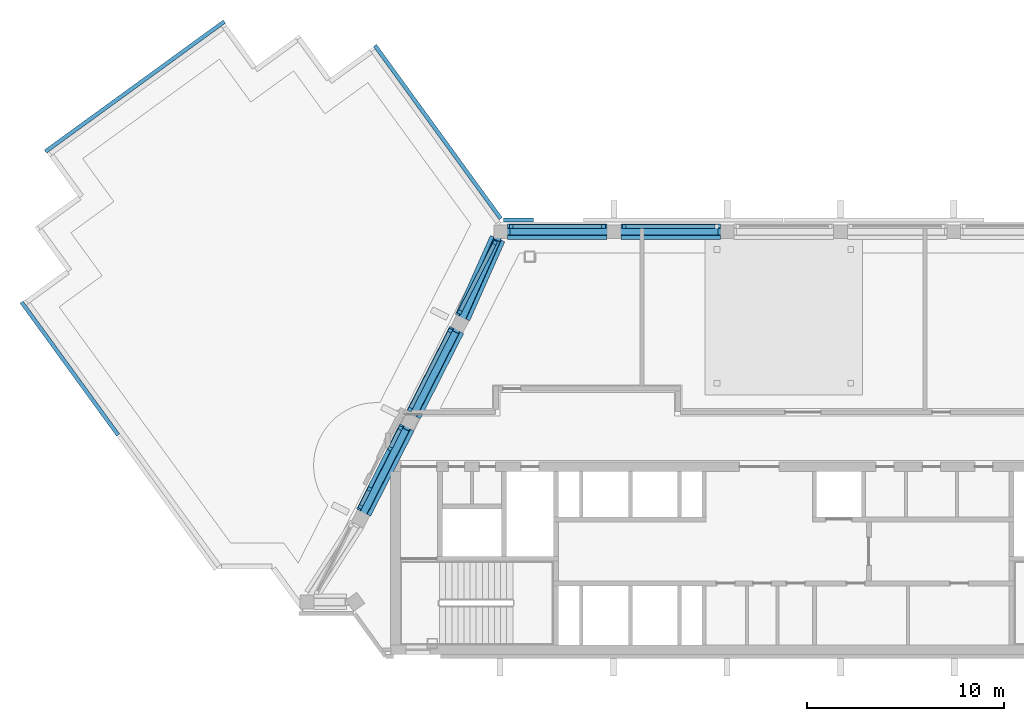
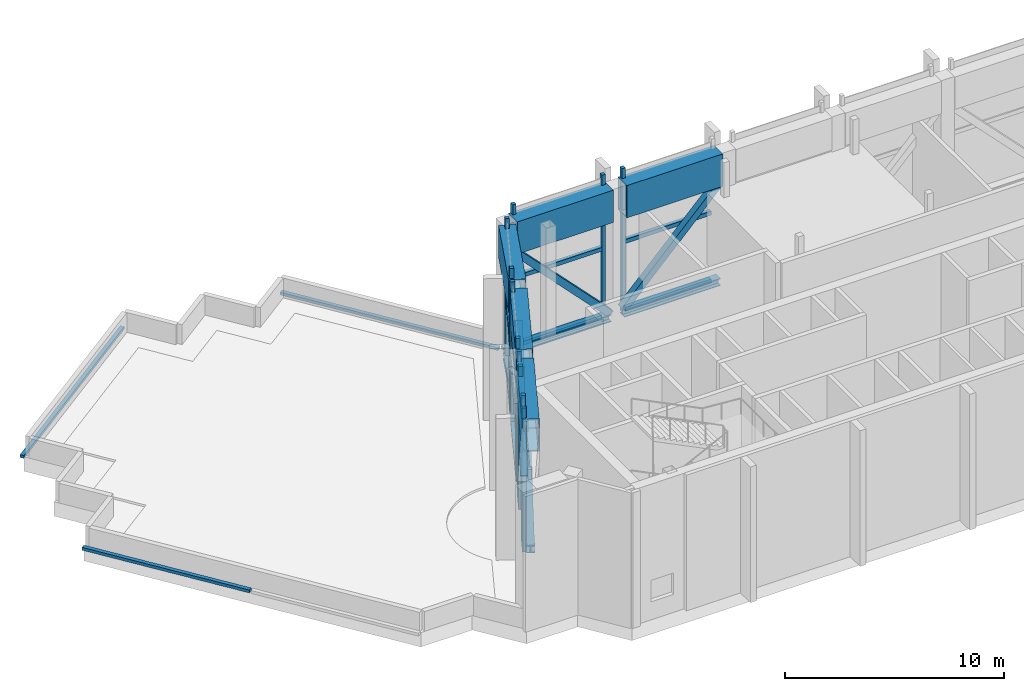
"""IFC4 building model written with IfcOpenShell, lengths in metres."""

from ifc_helpers import new_model, si_unit, direction, frame, origin, origin_2d, place, context, subcontext, project, spatial, rectangle, hollow_rectangle, i_section, extrude, material, material_profile, profile_set, type_object, element, aggregate, save


model = new_model("IFC4")

# Units and contexts
model_context = context("Model", 3, precision=1e-05, world=origin(), true_north=direction((0.0, 1.0)))
body_context = subcontext(model_context, "Body", "Model", "MODEL_VIEW")
ifc_project = project(units=[si_unit("LENGTHUNIT", "METRE"), si_unit("AREAUNIT", "SQUARE_METRE"), si_unit("VOLUMEUNIT", "CUBIC_METRE"), si_unit("PLANEANGLEUNIT", "RADIAN"), si_unit("MASSUNIT", "GRAM", prefix="KILO")], contexts=[model_context])

# Site, building, storey
site_placement = place(None, origin())
site = spatial("IfcSite", under=ifc_project, at=site_placement, CompositionType="ELEMENT")
building_placement = place(site_placement, origin())
building = spatial("IfcBuilding", under=site, at=building_placement, Name="Quipu Civic Tower", CompositionType="ELEMENT")
storey_1_placement = place(building_placement, frame((0.0, 0.0, 355.0)))
storey_1 = spatial("IfcBuildingStorey", under=building, at=storey_1_placement, Name="L83", CompositionType="ELEMENT", Elevation=355.0)

# Beams
ifc_material_1 = material(Name="Steel ASTM A992 Grade 50 (fy 345 MPa)", Category="steel")
ifc_material_profile_1 = material_profile(ifc_material_1, i_section(OverallWidth=0.403564453125, OverallDepth=0.407470703125, WebThickness=0.027099609375, FlangeThickness=0.043701171875, at=origin_2d()), Name="W360x347")
ifc_profile_set_1 = profile_set([ifc_material_profile_1], Name="Steel ASTM A992 Grade 50 (fy 345 MPa)")
beam_type_1 = type_object("IfcBeamType", Name="Belt truss bottom chord W360x347", PredefinedType="BEAM", material=ifc_profile_set_1)
for number, where, z_axis, x_axis, name in (
    (1, (-16.63330078125, 5.507568359375, 0.3037109375), (-0.453932554321, -0.89103604648, 0.0), (0.89103604648, -0.453932554321, 0.0), "Truss bottom chord L83 W-SIDE-01 to W-SIDE-02"),
    (2, (-19.156982421875, 0.553466796875, 0.3037109375), (-0.453932554321, -0.89103604648, 0.0), (0.89103604648, -0.453932554321, 0.0), "Truss bottom chord L83 W-SIDE-02 to W-SIDE-03"),
):
    element("IfcBeam", number, at=place(storey_1_placement, frame(where, z_axis=z_axis, x_axis=x_axis)), inside=storey_1, type_object=beam_type_1, Name=name, PredefinedType="BEAM", context=body_context, shape_type="SweptSolid", body=[
        extrude(i_section(OverallWidth=0.403564453125, OverallDepth=0.407470703125, WebThickness=0.027099609375, FlangeThickness=0.043701171875, at=origin_2d()), origin(), (0.0, 0.0, 1.0), 4.85986328125),
    ])
for number, where, z_axis, x_axis, name in (
    (3, (-3.22900390625, 10.5, 0.3037109375), (-1.0, 0.0, 0.0), (0.0, -1.0, 0.0), "Truss bottom chord L83 FRONT-03 to FRONT-04"),
    (4, (-8.987060546875, 10.5, 0.3037109375), (-1.0, 0.0, 0.0), (0.0, -1.0, 0.0), "Truss bottom chord L83 FRONT-04 to J-Wi.0"),
):
    element("IfcBeam", number, at=place(storey_1_placement, frame(where, z_axis=z_axis, x_axis=x_axis)), inside=storey_1, type_object=beam_type_1, Name=name, PredefinedType="BEAM", context=body_context, shape_type="SweptSolid", body=[
        extrude(i_section(OverallWidth=0.403564453125, OverallDepth=0.407470703125, WebThickness=0.027099609375, FlangeThickness=0.043701171875, at=origin_2d()), origin(), (0.0, 0.0, 1.0), 5.05810546875),
    ])
beam_1_placement = place(storey_1_placement, frame((-14.55078125, 10.14990234375, 0.3037109375), z_axis=(-0.405931965604, -0.913903298659, 0.0), x_axis=(0.913903298659, -0.405931965604, 0.0)))
element("IfcBeam", 5, at=beam_1_placement, inside=storey_1, type_object=beam_type_1, Name="Truss bottom chord L83 J-Wi.0 to W-SIDE-01", PredefinedType="BEAM", context=body_context, shape_type="SweptSolid", body=[
    extrude(i_section(OverallWidth=0.403564453125, OverallDepth=0.407470703125, WebThickness=0.027099609375, FlangeThickness=0.043701171875, at=origin_2d()), origin(), (0.0, 0.0, 1.0), 4.387939453125),
])

# Members
ifc_material_2 = material(Name="Steel ASTM A500 Grade C (fy 345 MPa)", Category="steel")
ifc_material_profile_2 = material_profile(ifc_material_2, hollow_rectangle(XDim=0.355712890625, YDim=0.355712890625, WallThickness=0.015869140625, at=origin_2d()), Name="HSS356x356x16")
ifc_profile_set_2 = profile_set([ifc_material_profile_2], Name="Steel ASTM A500 Grade C (fy 345 MPa)")
member_type_1 = type_object("IfcMemberType", Name="Belt truss diagonal HSS356x356x16", PredefinedType="BRACE", material=ifc_profile_set_2)
for number, where, z_axis, x_axis, name in (
    (6, (-16.63330078125, 5.507568359375, 5.75), (-0.308594905717, -0.605748986576, -0.733373949243), (0.89103604648, -0.453932554321, 0.0), "Truss diagonal L83 W-SIDE-01 to W-SIDE-02"),
    (7, (-19.156982421875, 0.553466796875, 5.75), (-0.308594905717, -0.605748986576, -0.733373949243), (0.89103604648, -0.453932554321, 0.0), "Truss diagonal L83 W-SIDE-02 to W-SIDE-03"),
):
    element("IfcMember", number, at=place(storey_1_placement, frame(where, z_axis=z_axis, x_axis=x_axis)), inside=storey_1, type_object=member_type_1, Name=name, PredefinedType="BRACE", context=body_context, shape_type="SweptSolid", body=[
        extrude(hollow_rectangle(XDim=0.355712890625, YDim=0.355712890625, WallThickness=0.015869140625, at=origin_2d()), origin(), (0.0, 0.0, 1.0), 7.148681640625),
    ])
for number, where, z_axis, x_axis, name in (
    (8, (-3.22900390625, 10.5, 5.75), (-0.694325328762, 0.0, -0.719661266041), (0.0, -1.0, 0.0), "Truss diagonal L83 FRONT-03 to FRONT-04"),
    (9, (-8.987060546875, 10.5, 0.50732421875), (-0.694325328762, 0.0, 0.719661266041), (0.0, -1.0, 0.0), "Truss diagonal L83 FRONT-04 to J-Wi.0"),
):
    element("IfcMember", number, at=place(storey_1_placement, frame(where, z_axis=z_axis, x_axis=x_axis)), inside=storey_1, type_object=member_type_1, Name=name, PredefinedType="BRACE", context=body_context, shape_type="SweptSolid", body=[
        extrude(hollow_rectangle(XDim=0.355712890625, YDim=0.355712890625, WallThickness=0.015869140625, at=origin_2d()), origin(), (0.0, 0.0, 1.0), 7.284912109375),
    ])
member_1_placement = place(storey_1_placement, frame((-14.537353515625, 10.18017578125, 5.75), z_axis=(-0.261712709864, -0.589209572044, -0.76442039331), x_axis=(0.913902600331, -0.405933537798, 0.0)))
element("IfcMember", 10, at=member_1_placement, inside=storey_1, type_object=member_type_1, Name="Truss diagonal L83 J-Wi.0 to W-SIDE-01", PredefinedType="BRACE", context=body_context, shape_type="SweptSolid", body=[
    extrude(hollow_rectangle(XDim=0.355712890625, YDim=0.355712890625, WallThickness=0.015869140625, at=origin_2d()), origin(), (0.0, 0.0, 1.0), 6.8583984375),
])

# Beams
ifc_material_3 = material(Name="Steel ASTM A572 Grade 50 (fy 345 MPa)", Category="steel")
ifc_material_profile_3 = material_profile(ifc_material_3, hollow_rectangle(XDim=0.800048828125, YDim=1.800048828125, WallThickness=0.050048828125, at=origin_2d()), Name="BX1800x800x50")
ifc_profile_set_3 = profile_set([ifc_material_profile_3], Name="Steel ASTM A572 Grade 50 (fy 345 MPa)")
beam_type_2 = type_object("IfcBeamType", Name="Belt truss top chord BX1800x800x50", PredefinedType="BEAM", material=ifc_profile_set_3)
for number, where, z_axis, x_axis, name in (
    (11, (-16.63330078125, 5.507568359375, 6.64990234375), (-0.453932554321, -0.89103604648, 0.0), (0.89103604648, -0.453932554321, 0.0), "Truss top chord L83 W-SIDE-01 to W-SIDE-02"),
    (12, (-19.156982421875, 0.553466796875, 6.64990234375), (-0.453932554321, -0.89103604648, 0.0), (0.89103604648, -0.453932554321, 0.0), "Truss top chord L83 W-SIDE-02 to W-SIDE-03"),
):
    element("IfcBeam", number, at=place(storey_1_placement, frame(where, z_axis=z_axis, x_axis=x_axis)), inside=storey_1, type_object=beam_type_2, Name=name, PredefinedType="BEAM", context=body_context, shape_type="SweptSolid", body=[
        extrude(hollow_rectangle(XDim=0.800048828125, YDim=1.800048828125, WallThickness=0.050048828125, at=origin_2d()), origin(), (0.0, 0.0, 1.0), 4.85986328125),
    ])
for number, where, z_axis, x_axis, name in (
    (13, (-3.22900390625, 10.5, 6.64990234375), (-1.0, 0.0, 0.0), (0.0, -1.0, 0.0), "Truss top chord L83 FRONT-03 to FRONT-04"),
    (14, (-8.987060546875, 10.5, 6.64990234375), (-1.0, 0.0, 0.0), (0.0, -1.0, 0.0), "Truss top chord L83 FRONT-04 to J-Wi.0"),
):
    element("IfcBeam", number, at=place(storey_1_placement, frame(where, z_axis=z_axis, x_axis=x_axis)), inside=storey_1, type_object=beam_type_2, Name=name, PredefinedType="BEAM", context=body_context, shape_type="SweptSolid", body=[
        extrude(hollow_rectangle(XDim=0.800048828125, YDim=1.800048828125, WallThickness=0.050048828125, at=origin_2d()), origin(), (0.0, 0.0, 1.0), 5.05810546875),
    ])
beam_2_placement = place(storey_1_placement, frame((-14.55078125, 10.14990234375, 6.64990234375), z_axis=(-0.405931965604, -0.913903298659, 0.0), x_axis=(0.913903298659, -0.405931965604, 0.0)))
element("IfcBeam", 15, at=beam_2_placement, inside=storey_1, type_object=beam_type_2, Name="Truss top chord L83 J-Wi.0 to W-SIDE-01", PredefinedType="BEAM", context=body_context, shape_type="SweptSolid", body=[
    extrude(hollow_rectangle(XDim=0.800048828125, YDim=1.800048828125, WallThickness=0.050048828125, at=origin_2d()), origin(), (0.0, 0.0, 1.0), 4.387939453125),
])

# Curtain wall, members
ifc_material_4 = material(Name="Insulated glass unit", Category="glass")
curtain_wall_type_1 = type_object("IfcCurtainWallType", Name="Damper hall glazing CW7", PredefinedType="NOTDEFINED", material=ifc_material_4)
curtain_wall_1_placement = place(storey_1_placement, origin())
curtain_wall_1 = element("IfcCurtainWall", 16, at=curtain_wall_1_placement, inside=storey_1, type_object=curtain_wall_type_1, Name="Damper hall glazing CW7 L83 run 1a", PredefinedType="NOTDEFINED")
ifc_material_5 = material(Name="Anodised aluminium", Category="aluminium")
ifc_material_profile_4 = material_profile(ifc_material_5, rectangle(XDim=0.199951171875, YDim=0.179931640625, at=origin_2d()), Name="RECT 200x180")
ifc_profile_set_4 = profile_set([ifc_material_profile_4], Name="Anodised aluminium")
member_type_2 = type_object("IfcMemberType", Name="Mullion CW7", PredefinedType="MULLION", material=ifc_profile_set_4)
member_2_placement = place(storey_1_placement, frame((-14.682373046875, 9.94384765625, 0.110107421875), z_axis=(0.0, 0.0, 1.0), x_axis=(0.891003530836, -0.453996374477, 0.0)))
member_2 = element("IfcMember", 17, at=member_2_placement, type_object=member_type_2, Name="CW7 mullion 1", PredefinedType="MULLION", context=body_context, shape_type="SweptSolid", body=[
    extrude(rectangle(XDim=0.199951171875, YDim=0.179931640625, at=origin_2d()), origin(), (0.0, 0.0, 1.0), 8.0),
])
member_3_placement = place(storey_1_placement, frame((-16.479248046875, 6.417236328125, 0.110107421875), z_axis=(0.0, 0.0, 1.0), x_axis=(0.891003530836, -0.453996374477, 0.0)))
member_3 = element("IfcMember", 18, at=member_3_placement, type_object=member_type_2, Name="CW7 mullion 2", PredefinedType="MULLION", context=body_context, shape_type="SweptSolid", body=[
    extrude(rectangle(XDim=0.199951171875, YDim=0.179931640625, at=origin_2d()), origin(), (0.0, 0.0, 1.0), 8.0),
])

curtain_wall_2_placement = place(storey_1_placement, origin())
curtain_wall_2 = element("IfcCurtainWall", 19, at=curtain_wall_2_placement, inside=storey_1, type_object=curtain_wall_type_1, Name="Damper hall glazing CW7 L83 run 1b", PredefinedType="NOTDEFINED")
member_4_placement = place(storey_1_placement, frame((-16.9609375, 5.471923828125, 0.110107421875), z_axis=(0.0, 0.0, 1.0), x_axis=(0.891003121884, -0.453997177076, 0.0)))
member_4 = element("IfcMember", 20, at=member_4_placement, type_object=member_type_2, Name="CW7 mullion 1", PredefinedType="MULLION", context=body_context, shape_type="SweptSolid", body=[
    extrude(rectangle(XDim=0.199951171875, YDim=0.179931640625, at=origin_2d()), origin(), (0.0, 0.0, 1.0), 8.0),
])
member_5_placement = place(storey_1_placement, frame((-19.00341796875, 1.46337890625, 0.110107421875), z_axis=(0.0, 0.0, 1.0), x_axis=(0.891003121884, -0.453997177076, 0.0)))
member_5 = element("IfcMember", 21, at=member_5_placement, type_object=member_type_2, Name="CW7 mullion 2", PredefinedType="MULLION", context=body_context, shape_type="SweptSolid", body=[
    extrude(rectangle(XDim=0.199951171875, YDim=0.179931640625, at=origin_2d()), origin(), (0.0, 0.0, 1.0), 8.0),
])

curtain_wall_3_placement = place(storey_1_placement, origin())
curtain_wall_3 = element("IfcCurtainWall", 22, at=curtain_wall_3_placement, inside=storey_1, type_object=curtain_wall_type_1, Name="Damper hall glazing CW7 L83 run 1c", PredefinedType="NOTDEFINED")
member_6_placement = place(storey_1_placement, frame((-19.48486328125, 0.51806640625, 0.110107421875), z_axis=(0.0, 0.0, 1.0), x_axis=(0.891000166704, -0.454002976789, 0.0)))
member_6 = element("IfcMember", 23, at=member_6_placement, type_object=member_type_2, Name="CW7 mullion 1", PredefinedType="MULLION", context=body_context, shape_type="SweptSolid", body=[
    extrude(rectangle(XDim=0.199951171875, YDim=0.179931640625, at=origin_2d()), origin(), (0.0, 0.0, 1.0), 8.0),
])
member_7_placement = place(storey_1_placement, frame((-20.02001953125, -0.531982421875, 0.110107421875), z_axis=(0.0, 0.0, 1.0), x_axis=(0.891000166704, -0.454002976789, 0.0)))
member_7 = element("IfcMember", 24, at=member_7_placement, type_object=member_type_2, Name="CW7 mullion 2", PredefinedType="MULLION", context=body_context, shape_type="SweptSolid", body=[
    extrude(rectangle(XDim=0.199951171875, YDim=0.179931640625, at=origin_2d()), origin(), (0.0, 0.0, 1.0), 8.0),
])

curtain_wall_4_placement = place(storey_1_placement, origin())
curtain_wall_4 = element("IfcCurtainWall", 25, at=curtain_wall_4_placement, inside=storey_1, type_object=curtain_wall_type_1, Name="Damper hall glazing CW7 L83 run 3a", PredefinedType="NOTDEFINED")
member_8_placement = place(storey_1_placement, frame((-21.064208984375, -2.58251953125, 0.110107421875), z_axis=(0.0, 0.0, 1.0), x_axis=(0.891033770858, -0.453937021172, 0.0)))
member_8 = element("IfcMember", 26, at=member_8_placement, type_object=member_type_2, Name="CW7 mullion 1", PredefinedType="MULLION", context=body_context, shape_type="SweptSolid", body=[
    extrude(rectangle(XDim=0.199951171875, YDim=0.179931640625, at=origin_2d()), origin(), (0.0, 0.0, 1.0), 8.0),
])
member_9_placement = place(storey_1_placement, frame((-21.52685546875, -3.490966796875, 0.110107421875), z_axis=(0.0, 0.0, 1.0), x_axis=(0.891033770858, -0.453937021172, 0.0)))
member_9 = element("IfcMember", 27, at=member_9_placement, type_object=member_type_2, Name="CW7 mullion 2", PredefinedType="MULLION", context=body_context, shape_type="SweptSolid", body=[
    extrude(rectangle(XDim=0.199951171875, YDim=0.179931640625, at=origin_2d()), origin(), (0.0, 0.0, 1.0), 8.0),
])

# Curtain wall, member
curtain_wall_5_placement = place(storey_1_placement, origin())
curtain_wall_5 = element("IfcCurtainWall", 28, at=curtain_wall_5_placement, inside=storey_1, type_object=curtain_wall_type_1, Name="Damper hall glazing CW7 L83 run 15d", PredefinedType="NOTDEFINED")
member_10_placement = place(storey_1_placement, frame((-8.106689453125, 10.77587890625, 0.110107421875), z_axis=(0.0, 0.0, 1.0), x_axis=(0.0, -1.0, 0.0)))
member_10 = element("IfcMember", 29, at=member_10_placement, type_object=member_type_2, Name="CW7 mullion 2", PredefinedType="MULLION", context=body_context, shape_type="SweptSolid", body=[
    extrude(rectangle(XDim=0.199951171875, YDim=0.179931640625, at=origin_2d()), origin(), (0.0, 0.0, 1.0), 8.0),
])

# Curtain wall, members
curtain_wall_6_placement = place(storey_1_placement, origin())
curtain_wall_6 = element("IfcCurtainWall", 30, at=curtain_wall_6_placement, inside=storey_1, type_object=curtain_wall_type_1, Name="Damper hall glazing CW7 L83 run 15e", PredefinedType="NOTDEFINED")
member_11_placement = place(storey_1_placement, frame((-9.16748046875, 10.77587890625, 0.110107421875), z_axis=(0.0, 0.0, 1.0), x_axis=(0.0, -1.0, 0.0)))
member_11 = element("IfcMember", 31, at=member_11_placement, type_object=member_type_2, Name="CW7 mullion 1", PredefinedType="MULLION", context=body_context, shape_type="SweptSolid", body=[
    extrude(rectangle(XDim=0.199951171875, YDim=0.179931640625, at=origin_2d()), origin(), (0.0, 0.0, 1.0), 8.0),
])
member_12_placement = place(storey_1_placement, frame((-13.86474609375, 10.77587890625, 0.110107421875), z_axis=(0.0, 0.0, 1.0), x_axis=(0.0, -1.0, 0.0)))
member_12 = element("IfcMember", 32, at=member_12_placement, type_object=member_type_2, Name="CW7 mullion 2", PredefinedType="MULLION", context=body_context, shape_type="SweptSolid", body=[
    extrude(rectangle(XDim=0.199951171875, YDim=0.179931640625, at=origin_2d()), origin(), (0.0, 0.0, 1.0), 8.0),
])

# Storey
storey_2_placement = place(building_placement, frame((0.0, 0.0, 347.0)))
storey_2 = spatial("IfcBuildingStorey", under=building, at=storey_2_placement, Name="L81", CompositionType="ELEMENT", Elevation=347.0)

# Curtain wall, member
ifc_material_6 = material(Name="Insulated glass unit", Category="glass")
curtain_wall_type_2 = type_object("IfcCurtainWallType", Name="Office curtain wall CW1", PredefinedType="NOTDEFINED", material=ifc_material_6)
curtain_wall_7_placement = place(storey_2_placement, origin())
curtain_wall_7 = element("IfcCurtainWall", 33, at=curtain_wall_7_placement, inside=storey_2, type_object=curtain_wall_type_2, Name="Office curtain wall CW1 L80 run 1", PredefinedType="NOTDEFINED")
ifc_material_7 = material(Name="Anodised aluminium", Category="aluminium")
ifc_material_profile_5 = material_profile(ifc_material_7, rectangle(XDim=0.199951171875, YDim=0.159912109375, at=origin_2d()), Name="RECT 200x160")
ifc_profile_set_5 = profile_set([ifc_material_profile_5], Name="Anodised aluminium")
member_type_3 = type_object("IfcMemberType", Name="Transom CW1", PredefinedType="USERDEFINED", material=ifc_profile_set_5)
member_13_placement = place(storey_1_placement, frame((-14.39111328125, 11.164794921875, 0.0), z_axis=(-0.587796859727, 0.809008560953, 0.0), x_axis=(-0.809008560953, -0.587796859727, 0.0)))
member_13 = element("IfcMember", 34, at=member_13_placement, inside=storey_1, type_object=member_type_3, Name="CW1 transom 1.4", ObjectType="TRANSOM", PredefinedType="USERDEFINED", context=body_context, shape_type="SweptSolid", body=[
    extrude(rectangle(XDim=0.199951171875, YDim=0.159912109375, at=origin_2d()), origin(), (0.0, 0.0, 1.0), 10.88427734375),
])
aggregate(curtain_wall_7, [member_13])

curtain_wall_8_placement = place(storey_2_placement, origin())
curtain_wall_8 = element("IfcCurtainWall", 35, at=curtain_wall_8_placement, inside=storey_2, type_object=curtain_wall_type_2, Name="Office curtain wall CW1 L80 run 6", PredefinedType="NOTDEFINED")
member_14_placement = place(storey_1_placement, frame((-28.443359375, 21.1826171875, 0.0), z_axis=(-0.809022463805, -0.587777724194, 0.0), x_axis=(0.587777724194, -0.809022463805, 0.0)))
member_14 = element("IfcMember", 36, at=member_14_placement, inside=storey_1, type_object=member_type_3, Name="CW1 transom 1.4", ObjectType="TRANSOM", PredefinedType="USERDEFINED", context=body_context, shape_type="SweptSolid", body=[
    extrude(rectangle(XDim=0.199951171875, YDim=0.159912109375, at=origin_2d()), origin(), (0.0, 0.0, 1.0), 11.240234375),
])
aggregate(curtain_wall_8, [member_14])

curtain_wall_9_placement = place(storey_2_placement, origin())
curtain_wall_9 = element("IfcCurtainWall", 37, at=curtain_wall_9_placement, inside=storey_2, type_object=curtain_wall_type_2, Name="Office curtain wall CW1 L80 run 11", PredefinedType="NOTDEFINED")
member_15_placement = place(storey_1_placement, frame((-38.7490234375, 6.92138671875, 0.0), z_axis=(0.587779098815, -0.809021465102, 0.0), x_axis=(0.809021465102, 0.587779098815, 0.0)))
member_15 = element("IfcMember", 38, at=member_15_placement, inside=storey_1, type_object=member_type_3, Name="CW1 transom 1.4", ObjectType="TRANSOM", PredefinedType="USERDEFINED", context=body_context, shape_type="SweptSolid", body=[
    extrude(rectangle(XDim=0.199951171875, YDim=0.159912109375, at=origin_2d()), origin(), (0.0, 0.0, 1.0), 8.35791015625),
])
aggregate(curtain_wall_9, [member_15])

curtain_wall_10_placement = place(storey_2_placement, origin())
curtain_wall_10 = element("IfcCurtainWall", 39, at=curtain_wall_10_placement, inside=storey_2, type_object=curtain_wall_type_2, Name="Office curtain wall CW1 L80 run 31", PredefinedType="NOTDEFINED")
member_16_placement = place(storey_1_placement, frame((-12.735107421875, 11.10009765625, 0.0), z_axis=(-1.0, 0.0, 0.0), x_axis=(0.0, -1.0, 0.0)))
member_16 = element("IfcMember", 40, at=member_16_placement, inside=storey_1, type_object=member_type_3, Name="CW1 transom 1.4", ObjectType="TRANSOM", PredefinedType="USERDEFINED", context=body_context, shape_type="SweptSolid", body=[
    extrude(rectangle(XDim=0.199951171875, YDim=0.159912109375, at=origin_2d()), origin(), (0.0, 0.0, 1.0), 1.529052734375),
])
aggregate(curtain_wall_10, [member_16])

# Member
ifc_material_8 = material(Name="Anodised aluminium", Category="aluminium")
ifc_material_profile_6 = material_profile(ifc_material_8, rectangle(XDim=0.199951171875, YDim=0.219970703125, at=origin_2d()), Name="RECT 200x220")
ifc_profile_set_6 = profile_set([ifc_material_profile_6], Name="Anodised aluminium")
member_type_4 = type_object("IfcMemberType", Name="Transom CW7", PredefinedType="USERDEFINED", material=ifc_profile_set_6)
member_17_placement = place(storey_1_placement, frame((-14.72314453125, 9.863525390625, 0.219970703125), z_axis=(-0.454050660131, -0.890975868379, 0.0), x_axis=(0.890975868379, -0.454050660131, 0.0)))
member_17 = element("IfcMember", 41, at=member_17_placement, type_object=member_type_4, Name="CW7 transom 1.1", ObjectType="TRANSOM", PredefinedType="USERDEFINED", context=body_context, shape_type="SweptSolid", body=[
    extrude(rectangle(XDim=0.199951171875, YDim=0.219970703125, at=origin_2d()), origin(), (0.0, 0.0, 1.0), 3.77783203125),
])

member_18_placement = place(storey_1_placement, frame((-14.72314453125, 9.863525390625, 4.0), z_axis=(-0.454050660131, -0.890975868379, 0.0), x_axis=(0.890975868379, -0.454050660131, 0.0)))
member_18 = element("IfcMember", 42, at=member_18_placement, type_object=member_type_4, Name="CW7 transom 1.2", ObjectType="TRANSOM", PredefinedType="USERDEFINED", context=body_context, shape_type="SweptSolid", body=[
    extrude(rectangle(XDim=0.199951171875, YDim=0.219970703125, at=origin_2d()), origin(), (0.0, 0.0, 1.0), 3.77783203125),
])

aggregate(curtain_wall_1, [member_2, member_3, member_17, member_18])

member_19_placement = place(storey_1_placement, frame((-17.001708984375, 5.3916015625, 0.219970703125), z_axis=(-0.454007077981, -0.890998076958, 0.0), x_axis=(0.890998076958, -0.454007077981, 0.0)))
member_19 = element("IfcMember", 43, at=member_19_placement, type_object=member_type_4, Name="CW7 transom 1.1", ObjectType="TRANSOM", PredefinedType="USERDEFINED", context=body_context, shape_type="SweptSolid", body=[
    extrude(rectangle(XDim=0.199951171875, YDim=0.219970703125, at=origin_2d()), origin(), (0.0, 0.0, 1.0), 4.318603515625),
])

member_20_placement = place(storey_1_placement, frame((-17.001708984375, 5.3916015625, 4.0), z_axis=(-0.454007077981, -0.890998076958, 0.0), x_axis=(0.890998076958, -0.454007077981, 0.0)))
member_20 = element("IfcMember", 44, at=member_20_placement, type_object=member_type_4, Name="CW7 transom 1.2", ObjectType="TRANSOM", PredefinedType="USERDEFINED", context=body_context, shape_type="SweptSolid", body=[
    extrude(rectangle(XDim=0.199951171875, YDim=0.219970703125, at=origin_2d()), origin(), (0.0, 0.0, 1.0), 4.318603515625),
])

aggregate(curtain_wall_2, [member_4, member_5, member_19, member_20])

member_21_placement = place(storey_1_placement, frame((-19.52587890625, 0.437744140625, 0.219970703125), z_axis=(-0.453951428876, -0.891026430709, 0.0), x_axis=(0.891026430709, -0.453951428876, 0.0)))
member_21 = element("IfcMember", 45, at=member_21_placement, type_object=member_type_4, Name="CW7 transom 1.1", ObjectType="TRANSOM", PredefinedType="USERDEFINED", context=body_context, shape_type="SweptSolid", body=[
    extrude(rectangle(XDim=0.199951171875, YDim=0.219970703125, at=origin_2d()), origin(), (0.0, 0.0, 1.0), 0.998291015625),
])

member_22_placement = place(storey_1_placement, frame((-19.52587890625, 0.437744140625, 4.0), z_axis=(-0.453951428876, -0.891026430709, 0.0), x_axis=(0.891026430709, -0.453951428876, 0.0)))
member_22 = element("IfcMember", 46, at=member_22_placement, type_object=member_type_4, Name="CW7 transom 1.2", ObjectType="TRANSOM", PredefinedType="USERDEFINED", context=body_context, shape_type="SweptSolid", body=[
    extrude(rectangle(XDim=0.199951171875, YDim=0.219970703125, at=origin_2d()), origin(), (0.0, 0.0, 1.0), 0.998291015625),
])

aggregate(curtain_wall_3, [member_6, member_7, member_21, member_22])

member_23_placement = place(storey_1_placement, frame((-21.10498046875, -2.66259765625, 0.219970703125), z_axis=(-0.453947562936, -0.891028400279, 0.0), x_axis=(0.891028400279, -0.453947562936, 0.0)))
member_23 = element("IfcMember", 47, at=member_23_placement, type_object=member_type_4, Name="CW7 transom 1.1", ObjectType="TRANSOM", PredefinedType="USERDEFINED", context=body_context, shape_type="SweptSolid", body=[
    extrude(rectangle(XDim=0.199951171875, YDim=0.219970703125, at=origin_2d()), origin(), (0.0, 0.0, 1.0), 0.839599609375),
])

member_24_placement = place(storey_1_placement, frame((-21.10498046875, -2.66259765625, 4.0), z_axis=(-0.453947562936, -0.891028400279, 0.0), x_axis=(0.891028400279, -0.453947562936, 0.0)))
member_24 = element("IfcMember", 48, at=member_24_placement, type_object=member_type_4, Name="CW7 transom 1.2", ObjectType="TRANSOM", PredefinedType="USERDEFINED", context=body_context, shape_type="SweptSolid", body=[
    extrude(rectangle(XDim=0.199951171875, YDim=0.219970703125, at=origin_2d()), origin(), (0.0, 0.0, 1.0), 0.839599609375),
])

aggregate(curtain_wall_4, [member_8, member_9, member_23, member_24])

member_25_placement = place(storey_1_placement, frame((-3.49951171875, 10.77587890625, 0.219970703125), z_axis=(-1.0, 0.0, 0.0), x_axis=(0.0, -1.0, 0.0)))
member_25 = element("IfcMember", 49, at=member_25_placement, type_object=member_type_4, Name="CW7 transom 1.1", ObjectType="TRANSOM", PredefinedType="USERDEFINED", context=body_context, shape_type="SweptSolid", body=[
    extrude(rectangle(XDim=0.199951171875, YDim=0.219970703125, at=origin_2d()), origin(), (0.0, 0.0, 1.0), 4.51708984375),
])

member_26_placement = place(storey_1_placement, frame((-3.49951171875, 10.77587890625, 4.0), z_axis=(-1.0, 0.0, 0.0), x_axis=(0.0, -1.0, 0.0)))
member_26 = element("IfcMember", 50, at=member_26_placement, type_object=member_type_4, Name="CW7 transom 1.2", ObjectType="TRANSOM", PredefinedType="USERDEFINED", context=body_context, shape_type="SweptSolid", body=[
    extrude(rectangle(XDim=0.199951171875, YDim=0.219970703125, at=origin_2d()), origin(), (0.0, 0.0, 1.0), 4.51708984375),
])

aggregate(curtain_wall_5, [member_10, member_25, member_26])

member_27_placement = place(storey_1_placement, frame((-9.257568359375, 10.77587890625, 0.219970703125), z_axis=(-1.0, 0.0, 0.0), x_axis=(0.0, -1.0, 0.0)))
member_27 = element("IfcMember", 51, at=member_27_placement, type_object=member_type_4, Name="CW7 transom 1.1", ObjectType="TRANSOM", PredefinedType="USERDEFINED", context=body_context, shape_type="SweptSolid", body=[
    extrude(rectangle(XDim=0.199951171875, YDim=0.219970703125, at=origin_2d()), origin(), (0.0, 0.0, 1.0), 4.51708984375),
])

member_28_placement = place(storey_1_placement, frame((-9.257568359375, 10.77587890625, 4.0), z_axis=(-1.0, 0.0, 0.0), x_axis=(0.0, -1.0, 0.0)))
member_28 = element("IfcMember", 52, at=member_28_placement, type_object=member_type_4, Name="CW7 transom 1.2", ObjectType="TRANSOM", PredefinedType="USERDEFINED", context=body_context, shape_type="SweptSolid", body=[
    extrude(rectangle(XDim=0.199951171875, YDim=0.219970703125, at=origin_2d()), origin(), (0.0, 0.0, 1.0), 4.51708984375),
])

aggregate(curtain_wall_6, [member_11, member_12, member_27, member_28])

save(model, "model.ifc")
